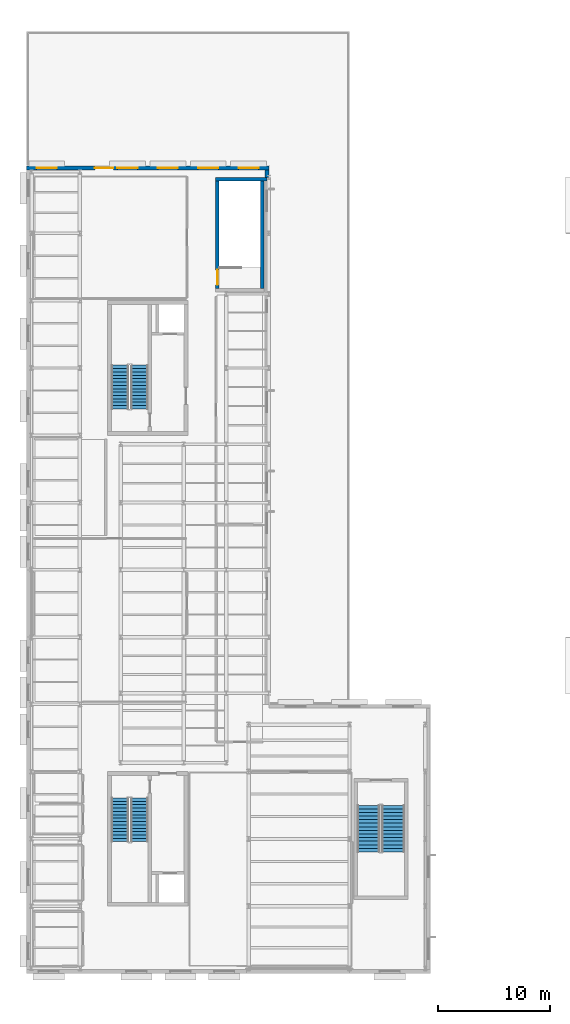
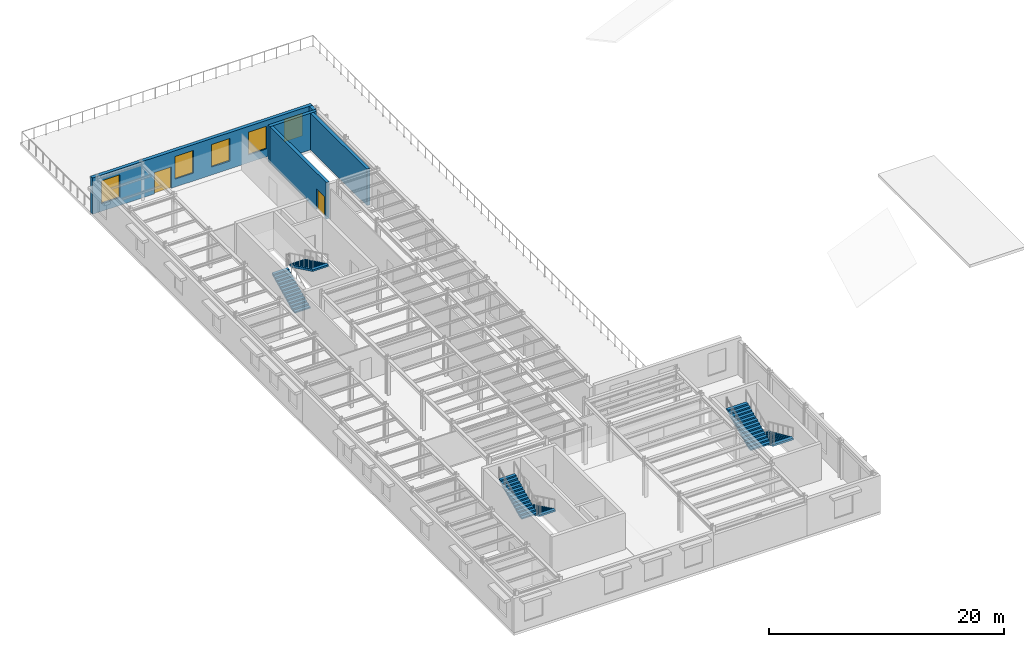
# One storey, part 7 of 13: 6 stair flights, 5 walls, 5 windows, 2 doors, 7 openings, 3 elements without a shape of their own.
"""IFC4 building model written with IfcOpenShell, lengths in metres."""

from ifc_helpers import new_model, si_unit, direction, frame, frame_2d, origin, place, context, subcontext, project, spatial, polyline, rectangle, outline, extrude, material, layer, layer_set, type_object, element, fill, aggregate, save


model = new_model("IFC4")

# Units and contexts
model_context = context("Model", 3, precision=1e-05, world=origin(), true_north=direction((0.0, 1.0)))
body_context = subcontext(model_context, "Body", "Model", "MODEL_VIEW")
ifc_project = project(units=[si_unit("LENGTHUNIT", "METRE"), si_unit("AREAUNIT", "SQUARE_METRE"), si_unit("VOLUMEUNIT", "CUBIC_METRE"), si_unit("PLANEANGLEUNIT", "RADIAN"), si_unit("MASSUNIT", "GRAM", prefix="KILO")], contexts=[model_context])

# Site, building, storey
site_placement = place(None, origin())
site = spatial("IfcSite", under=ifc_project, at=site_placement, CompositionType="ELEMENT")
building_placement = place(site_placement, origin())
building = spatial("IfcBuilding", under=site, at=building_placement, Name="Kolvaren Corner Interchange", CompositionType="ELEMENT")
storey_placement = place(building_placement, frame((0.0, 0.0, 14.699951171875)))
storey = spatial("IfcBuildingStorey", under=building, at=storey_placement, Name="L04", CompositionType="ELEMENT", Elevation=14.699951171875)

# Wall
ifc_material_1 = material(Name="Concrete C35/45", Category="concrete")
ifc_layer_1 = layer(ifc_material_1, 0.31005859375)
ifc_layer_set_1 = layer_set([ifc_layer_1], Name="Concrete C35/45")
wall_type_1 = type_object("IfcWallType", Name="WL-STAIR-300", PredefinedType="SHEAR", material=ifc_layer_set_1)
wall_1_placement = place(storey_placement, frame((16.85009765625, 70.844970703125, 0.0), z_axis=(0.0, 0.0, 1.0), x_axis=(1.0, 0.0, 0.0)))
element("IfcWall", 1, at=wall_1_placement, inside=storey, type_object=wall_type_1, Name="Operations North Wing Protected Exit Stair L04 North Enclosure Wall", PredefinedType="SHEAR", context=body_context, shape_type="SweptSolid", body=[
    extrude(rectangle(XDim=4.599853515625, YDim=0.31005859375, at=frame_2d((2.2998046875, 0.0))), origin(), (0.0, 0.0, 1.0), 3.800048828125),
])

# Wall, opening, door
wall_2_placement = place(storey_placement, frame((17.0048828125, 61.110107421875, 0.0), z_axis=(0.0, 0.0, 1.0), x_axis=(0.0, 1.0, 0.0)))
wall_2 = element("IfcWall", 2, at=wall_2_placement, inside=storey, type_object=wall_type_1, Name="Operations North Wing Protected Exit Stair L04 West Enclosure Wall", PredefinedType="SHEAR", context=body_context, shape_type="SweptSolid", body=[
    extrude(rectangle(XDim=9.579833984375, YDim=0.31005859375, at=frame_2d((4.7900390625, 0.0))), origin(), (0.0, 0.0, 1.0), 3.800048828125),
])
opening_1_placement = place(wall_2_placement, frame((0.300048828125, 0.0, 0.0)))
opening_1 = element("IfcOpeningElement", 3, at=opening_1_placement, cuts=wall_2, Name="Opening D-F05", PredefinedType="OPENING", context=body_context, shape_type="SweptSolid", body=[
    extrude(rectangle(XDim=1.35009765625, YDim=2.14990234375, at=frame_2d((0.675048828125, 1.074951171875))), frame((0.0, 0.1650390625, 0.0), z_axis=(0.0, -1.0, 0.0), x_axis=(1.0, 0.0, 0.0)), (0.0, 0.0, 1.0), 0.330078125),
])
ifc_material_2 = material(Name="Powder-coated Fire-rated Steel Sheet", Category="steel")
door_type_1 = type_object("IfcDoorType", Name="DT-FD-1350x2150", OperationType="NOTDEFINED", PredefinedType="DOOR", material=ifc_material_2)
door_1_placement = place(opening_1_placement, origin())
door_1 = element("IfcDoor", 4, at=door_1_placement, inside=storey, type_object=door_type_1, Name="Operations North Wing Protected Exit Stair L04 Protected Exit Door", OperationType="DOUBLE_DOOR_SINGLE_SWING", OverallHeight=2.14990234375, OverallWidth=1.35009765625, PredefinedType="DOOR", context=body_context, shape_type="SweptSolid", body=[
    extrude(rectangle(XDim=1.35009765625, YDim=2.14990234375, at=frame_2d((0.675048828125, 1.074951171875))), frame((0.0, 0.02490234375, 0.0), z_axis=(0.0, -1.0, 0.0), x_axis=(1.0, 0.0, 0.0)), (0.0, 0.0, 1.0), 0.050048828125),
])
fill(opening_1, door_1)

# Walls
wall_3_placement = place(storey_placement, frame((20.9951171875, 61.110107421875, 0.0), z_axis=(0.0, 0.0, 1.0), x_axis=(0.0, 1.0, 0.0)))
element("IfcWall", 5, at=wall_3_placement, inside=storey, type_object=wall_type_1, Name="Operations North Wing Protected Exit Stair L04 East Enclosure Wall", PredefinedType="SHEAR", context=body_context, shape_type="SweptSolid", body=[
    extrude(rectangle(XDim=9.579833984375, YDim=0.31005859375, at=frame_2d((4.7900390625, 0.0))), origin(), (0.0, 0.0, 1.0), 3.800048828125),
])
ifc_material_3 = material(Name="Cream Architectural Terracotta Rainscreen Assembly", Category="masonry")
ifc_layer_2 = layer(ifc_material_3, 0.330078125)
ifc_layer_set_2 = layer_set([ifc_layer_2], Name="Cream Architectural Terracotta Rainscreen Assembly")
wall_type_2 = type_object("IfcWallType", Name="WT-EXT-TC320", PredefinedType="SOLIDWALL", material=ifc_layer_set_2)
wall_4_placement = place(storey_placement, frame((21.429931640625, 71.0, 0.0), z_axis=(0.0, 0.0, 1.0), x_axis=(0.0, 1.0, 0.0)))
element("IfcWall", 6, at=wall_4_placement, inside=storey, type_object=wall_type_2, Name="Level 04 Courtyard Terrace North Pier Wall 0044", PredefinedType="SOLIDWALL", context=body_context, shape_type="SweptSolid", body=[
    extrude(rectangle(XDim=0.659912109375, YDim=0.330078125, at=frame_2d((0.330078125, 0.0))), origin(), (0.0, 0.0, 1.0), 3.780029296875),
])

# Wall, openings, door, windows
wall_5_placement = place(storey_placement, frame((21.60009765625, 71.830078125, 0.0), z_axis=(0.0, 0.0, 1.0), x_axis=(-1.0, 0.0, 0.0)))
wall_5 = element("IfcWall", 7, at=wall_5_placement, inside=storey, type_object=wall_type_2, Name="Operations North End Facade Wall 0045", PredefinedType="SOLIDWALL", context=body_context, shape_type="SweptSolid", body=[
    extrude(rectangle(XDim=21.60009765625, YDim=0.330078125, at=frame_2d((10.800048828125, 0.0))), origin(), (0.0, 0.0, 1.0), 3.780029296875),
])
opening_2_placement = place(wall_5_placement, frame((13.863037109375, 0.0, 0.0)))
opening_2 = element("IfcOpeningElement", 8, at=opening_2_placement, cuts=wall_5, Name="Opening D-E10", PredefinedType="OPENING", context=body_context, shape_type="SweptSolid", body=[
    extrude(rectangle(XDim=1.64990234375, YDim=2.219970703125, at=frame_2d((0.824951171875, 1.10986328125))), frame((0.0, 0.175048828125, 0.0), z_axis=(0.0, -1.0, 0.0), x_axis=(1.0, 0.0, 0.0)), (0.0, 0.0, 1.0), 0.35009765625),
])
opening_3_placement = place(wall_5_placement, frame((0.89990234375, 0.0, 0.820068359375)))
opening_3 = element("IfcOpeningElement", 9, at=opening_3_placement, cuts=wall_5, Name="Opening W-03", PredefinedType="OPENING", context=body_context, shape_type="SweptSolid", body=[
    extrude(rectangle(XDim=1.800048828125, YDim=2.35009765625, at=frame_2d((0.89990234375, 1.175048828125))), frame((0.0, 0.175048828125, 0.0), z_axis=(0.0, -1.0, 0.0), x_axis=(1.0, 0.0, 0.0)), (0.0, 0.0, 1.0), 0.35009765625),
])
opening_4_placement = place(wall_5_placement, frame((4.5, 0.0, 0.820068359375)))
opening_4 = element("IfcOpeningElement", 10, at=opening_4_placement, cuts=wall_5, Name="Opening W-03", PredefinedType="OPENING", context=body_context, shape_type="SweptSolid", body=[
    extrude(rectangle(XDim=1.800048828125, YDim=2.35009765625, at=frame_2d((0.89990234375, 1.175048828125))), frame((0.0, 0.175048828125, 0.0), z_axis=(0.0, -1.0, 0.0), x_axis=(1.0, 0.0, 0.0)), (0.0, 0.0, 1.0), 0.35009765625),
])
opening_5_placement = place(wall_5_placement, frame((8.10009765625, 0.0, 0.820068359375)))
opening_5 = element("IfcOpeningElement", 11, at=opening_5_placement, cuts=wall_5, Name="Opening W-03", PredefinedType="OPENING", context=body_context, shape_type="SweptSolid", body=[
    extrude(rectangle(XDim=1.800048828125, YDim=2.35009765625, at=frame_2d((0.89990234375, 1.175048828125))), frame((0.0, 0.175048828125, 0.0), z_axis=(0.0, -1.0, 0.0), x_axis=(1.0, 0.0, 0.0)), (0.0, 0.0, 1.0), 0.35009765625),
])
opening_6_placement = place(wall_5_placement, frame((11.699951171875, 0.0, 0.820068359375)))
opening_6 = element("IfcOpeningElement", 12, at=opening_6_placement, cuts=wall_5, Name="Opening W-03", PredefinedType="OPENING", context=body_context, shape_type="SweptSolid", body=[
    extrude(rectangle(XDim=1.800048828125, YDim=2.35009765625, at=frame_2d((0.89990234375, 1.175048828125))), frame((0.0, 0.175048828125, 0.0), z_axis=(0.0, -1.0, 0.0), x_axis=(1.0, 0.0, 0.0)), (0.0, 0.0, 1.0), 0.35009765625),
])
opening_7_placement = place(wall_5_placement, frame((18.89990234375, 0.0, 0.820068359375)))
opening_7 = element("IfcOpeningElement", 13, at=opening_7_placement, cuts=wall_5, Name="Opening W-03", PredefinedType="OPENING", context=body_context, shape_type="SweptSolid", body=[
    extrude(rectangle(XDim=1.800048828125, YDim=2.35009765625, at=frame_2d((0.89990234375, 1.175048828125))), frame((0.0, 0.175048828125, 0.0), z_axis=(0.0, -1.0, 0.0), x_axis=(1.0, 0.0, 0.0)), (0.0, 0.0, 1.0), 0.35009765625),
])
ifc_material_4 = material(Name="Thermally Broken Aluminium Glazed Terrace Door", Category="aluminium")
door_type_2 = type_object("IfcDoorType", Name="DT-TERR-DBL1650", OperationType="NOTDEFINED", PredefinedType="DOOR", material=ifc_material_4)
door_2_placement = place(opening_2_placement, origin())
door_2 = element("IfcDoor", 14, at=door_2_placement, inside=storey, type_object=door_type_2, Name="L04 North Roof Terrace Lounge Door 007", OperationType="DOUBLE_DOOR_SINGLE_SWING", OverallHeight=2.219970703125, OverallWidth=1.64990234375, PredefinedType="DOOR", context=body_context, shape_type="SweptSolid", body=[
    extrude(rectangle(XDim=1.64990234375, YDim=2.219970703125, at=frame_2d((0.824951171875, 1.10986328125))), frame((0.0, 0.02490234375, 0.0), z_axis=(0.0, -1.0, 0.0), x_axis=(1.0, 0.0, 0.0)), (0.0, 0.0, 1.0), 0.050048828125),
])
fill(opening_2, door_2)
ifc_material_5 = material(Name="Thermally Broken Aluminium and Solar-Control Double Glazing", Category="aluminium")
window_type = type_object("IfcWindowType", Name="WT-CHI-1800x2400", PartitioningType="DOUBLE_PANEL_VERTICAL", PredefinedType="WINDOW", material=ifc_material_5)
window_1_placement = place(opening_3_placement, origin())
window_1 = element("IfcWindow", 15, at=window_1_placement, inside=storey, type_object=window_type, Name="L04 Operations North End Facade Window 0100", OverallHeight=2.35009765625, OverallWidth=1.800048828125, PartitioningType="SINGLE_PANEL", PredefinedType="WINDOW", context=body_context, shape_type="SweptSolid", body=[
    extrude(rectangle(XDim=1.800048828125, YDim=2.35009765625, at=frame_2d((0.89990234375, 1.175048828125))), frame((0.0, 0.030029296875, 0.0), z_axis=(0.0, -1.0, 0.0), x_axis=(1.0, 0.0, 0.0)), (0.0, 0.0, 1.0), 0.06005859375),
])
fill(opening_3, window_1)
window_2_placement = place(opening_4_placement, origin())
window_2 = element("IfcWindow", 16, at=window_2_placement, inside=storey, type_object=window_type, Name="L04 Operations North End Facade Window 0101", OverallHeight=2.35009765625, OverallWidth=1.800048828125, PartitioningType="SINGLE_PANEL", PredefinedType="WINDOW", context=body_context, shape_type="SweptSolid", body=[
    extrude(rectangle(XDim=1.800048828125, YDim=2.35009765625, at=frame_2d((0.89990234375, 1.175048828125))), frame((0.0, 0.030029296875, 0.0), z_axis=(0.0, -1.0, 0.0), x_axis=(1.0, 0.0, 0.0)), (0.0, 0.0, 1.0), 0.06005859375),
])
fill(opening_4, window_2)
window_3_placement = place(opening_5_placement, origin())
window_3 = element("IfcWindow", 17, at=window_3_placement, inside=storey, type_object=window_type, Name="L04 Operations North End Facade Window 0102", OverallHeight=2.35009765625, OverallWidth=1.800048828125, PartitioningType="SINGLE_PANEL", PredefinedType="WINDOW", context=body_context, shape_type="SweptSolid", body=[
    extrude(rectangle(XDim=1.800048828125, YDim=2.35009765625, at=frame_2d((0.89990234375, 1.175048828125))), frame((0.0, 0.030029296875, 0.0), z_axis=(0.0, -1.0, 0.0), x_axis=(1.0, 0.0, 0.0)), (0.0, 0.0, 1.0), 0.06005859375),
])
fill(opening_5, window_3)
window_4_placement = place(opening_6_placement, origin())
window_4 = element("IfcWindow", 18, at=window_4_placement, inside=storey, type_object=window_type, Name="L04 Operations North End Facade Window 0103", OverallHeight=2.35009765625, OverallWidth=1.800048828125, PartitioningType="SINGLE_PANEL", PredefinedType="WINDOW", context=body_context, shape_type="SweptSolid", body=[
    extrude(rectangle(XDim=1.800048828125, YDim=2.35009765625, at=frame_2d((0.89990234375, 1.175048828125))), frame((0.0, 0.030029296875, 0.0), z_axis=(0.0, -1.0, 0.0), x_axis=(1.0, 0.0, 0.0)), (0.0, 0.0, 1.0), 0.06005859375),
])
fill(opening_6, window_4)
window_5_placement = place(opening_7_placement, origin())
window_5 = element("IfcWindow", 19, at=window_5_placement, inside=storey, type_object=window_type, Name="L04 Operations North End Facade Window 0104", OverallHeight=2.35009765625, OverallWidth=1.800048828125, PartitioningType="SINGLE_PANEL", PredefinedType="WINDOW", context=body_context, shape_type="SweptSolid", body=[
    extrude(rectangle(XDim=1.800048828125, YDim=2.35009765625, at=frame_2d((0.89990234375, 1.175048828125))), frame((0.0, 0.030029296875, 0.0), z_axis=(0.0, -1.0, 0.0), x_axis=(1.0, 0.0, 0.0)), (0.0, 0.0, 1.0), 0.06005859375),
])
fill(opening_7, window_5)

# Stair, stair flights
ifc_material_6 = material(Name="Concrete C35/45", Category="concrete")
stair_type_1 = type_object("IfcStairType", Name="ST-FF-1550", PredefinedType="HALF_TURN_STAIR", material=ifc_material_6)
stair_1_placement = place(storey_placement, origin())
stair_1 = element("IfcStair", 20, at=stair_1_placement, inside=storey, type_object=stair_type_1, Name="Core C1 Southwest Firefighting Stair L04 to L05 Stair", PredefinedType="HALF_TURN_STAIR")
ifc_material_7 = material(Name="Concrete C35/45", Category="concrete")
stair_flight_type_1 = type_object("IfcStairFlightType", Name="SFT-FF-1550", PredefinedType="STRAIGHT", material=ifc_material_7)
stair_flight_1_placement = place(storey_placement, frame((10.074951171875, 15.64990234375, 0.0), z_axis=(0.0, 0.0, 1.0), x_axis=(0.0, -1.0, 0.0)))
stair_flight_1 = element("IfcStairFlight", 21, at=stair_flight_1_placement, type_object=stair_flight_type_1, Name="Core C1 Southwest Firefighting Stair L04 Lower Flight", NumberOfRisers=14, NumberOfTreads=13, PredefinedType="STRAIGHT", RiserHeight=0.144642857, TreadLength=0.3, context=body_context, shape_type="SweptSolid", body=[
    extrude(outline(polyline([(0.0, 0.0), (0.0, 0.14453125), (0.300048828125, 0.14453125), (0.300048828125, 0.289306640625), (0.60009765625, 0.289306640625), (0.60009765625, 0.433837890625), (0.89990234375, 0.433837890625), (0.89990234375, 0.57861328125), (1.199951171875, 0.57861328125), (1.199951171875, 0.72314453125), (1.5, 0.72314453125), (1.5, 0.867919921875), (1.800048828125, 0.867919921875), (1.800048828125, 1.012451171875), (2.10009765625, 1.012451171875), (2.10009765625, 1.1572265625), (2.39990234375, 1.1572265625), (2.39990234375, 1.3017578125), (2.699951171875, 1.3017578125), (2.699951171875, 1.446533203125), (3.0, 1.446533203125), (3.0, 1.591064453125), (3.300048828125, 1.591064453125), (3.300048828125, 1.735595703125), (3.60009765625, 1.735595703125), (3.60009765625, 1.88037109375), (3.89990234375, 1.88037109375), (3.89990234375, 2.02490234375), (3.89990234375, 1.702880859375), (0.3681640625, 0.0), (0.0, 0.0)])), frame((0.0, 0.77490234375, 0.0), z_axis=(0.0, -1.0, 0.0), x_axis=(1.0, 0.0, 0.0)), (0.0, 0.0, 1.0), 1.550048828125),
])
stair_flight_2_placement = place(storey_placement, frame((8.324951171875, 11.75, 2.025146484375), z_axis=(0.0, 0.0, 1.0), x_axis=(0.0, 1.0, 0.0)))
stair_flight_2 = element("IfcStairFlight", 22, at=stair_flight_2_placement, type_object=stair_flight_type_1, Name="Core C1 Southwest Firefighting Stair L04 Upper Flight", NumberOfRisers=14, NumberOfTreads=13, PredefinedType="STRAIGHT", RiserHeight=0.144642857, TreadLength=0.3, context=body_context, shape_type="SweptSolid", body=[
    extrude(outline(polyline([(0.0, 0.0), (0.0, 0.14453125), (0.300048828125, 0.14453125), (0.300048828125, 0.289306640625), (0.60009765625, 0.289306640625), (0.60009765625, 0.433837890625), (0.89990234375, 0.433837890625), (0.89990234375, 0.57861328125), (1.199951171875, 0.57861328125), (1.199951171875, 0.72314453125), (1.5, 0.72314453125), (1.5, 0.867919921875), (1.800048828125, 0.867919921875), (1.800048828125, 1.012451171875), (2.10009765625, 1.012451171875), (2.10009765625, 1.1572265625), (2.39990234375, 1.1572265625), (2.39990234375, 1.3017578125), (2.699951171875, 1.3017578125), (2.699951171875, 1.446533203125), (3.0, 1.446533203125), (3.0, 1.591064453125), (3.300048828125, 1.591064453125), (3.300048828125, 1.735595703125), (3.60009765625, 1.735595703125), (3.60009765625, 1.88037109375), (3.89990234375, 1.88037109375), (3.89990234375, 2.02490234375), (3.89990234375, 1.702880859375), (0.3681640625, 0.0), (0.0, 0.0)])), frame((0.0, 0.77490234375, 0.0), z_axis=(0.0, -1.0, 0.0), x_axis=(1.0, 0.0, 0.0)), (0.0, 0.0, 1.0), 1.550048828125),
])
aggregate(stair_1, [stair_flight_1, stair_flight_2])

stair_2_placement = place(storey_placement, origin())
stair_2 = element("IfcStair", 23, at=stair_2_placement, inside=storey, type_object=stair_type_1, Name="Core C2 Northwest Firefighting Stair L04 to L05 Stair", PredefinedType="HALF_TURN_STAIR")
stair_flight_3_placement = place(storey_placement, frame((8.324951171875, 50.35009765625, 0.0), z_axis=(0.0, 0.0, 1.0), x_axis=(0.0, 1.0, 0.0)))
stair_flight_3 = element("IfcStairFlight", 24, at=stair_flight_3_placement, type_object=stair_flight_type_1, Name="Core C2 Northwest Firefighting Stair L04 Lower Flight", NumberOfRisers=14, NumberOfTreads=13, PredefinedType="STRAIGHT", RiserHeight=0.144642857, TreadLength=0.3, context=body_context, shape_type="SweptSolid", body=[
    extrude(outline(polyline([(0.0, 0.0), (0.0, 0.14453125), (0.300048828125, 0.14453125), (0.300048828125, 0.289306640625), (0.60009765625, 0.289306640625), (0.60009765625, 0.433837890625), (0.89990234375, 0.433837890625), (0.89990234375, 0.57861328125), (1.199951171875, 0.57861328125), (1.199951171875, 0.72314453125), (1.5, 0.72314453125), (1.5, 0.867919921875), (1.800048828125, 0.867919921875), (1.800048828125, 1.012451171875), (2.10009765625, 1.012451171875), (2.10009765625, 1.1572265625), (2.39990234375, 1.1572265625), (2.39990234375, 1.3017578125), (2.699951171875, 1.3017578125), (2.699951171875, 1.446533203125), (3.0, 1.446533203125), (3.0, 1.591064453125), (3.300048828125, 1.591064453125), (3.300048828125, 1.735595703125), (3.60009765625, 1.735595703125), (3.60009765625, 1.88037109375), (3.89990234375, 1.88037109375), (3.89990234375, 2.02490234375), (3.89990234375, 1.702880859375), (0.3681640625, 0.0), (0.0, 0.0)])), frame((0.0, 0.77490234375, 0.0), z_axis=(0.0, -1.0, 0.0), x_axis=(1.0, 0.0, 0.0)), (0.0, 0.0, 1.0), 1.550048828125),
])
stair_flight_4_placement = place(storey_placement, frame((10.074951171875, 54.25, 2.025146484375), z_axis=(0.0, 0.0, 1.0), x_axis=(0.0, -1.0, 0.0)))
stair_flight_4 = element("IfcStairFlight", 25, at=stair_flight_4_placement, type_object=stair_flight_type_1, Name="Core C2 Northwest Firefighting Stair L04 Upper Flight", NumberOfRisers=14, NumberOfTreads=13, PredefinedType="STRAIGHT", RiserHeight=0.144642857, TreadLength=0.3, context=body_context, shape_type="SweptSolid", body=[
    extrude(outline(polyline([(0.0, 0.0), (0.0, 0.14453125), (0.300048828125, 0.14453125), (0.300048828125, 0.289306640625), (0.60009765625, 0.289306640625), (0.60009765625, 0.433837890625), (0.89990234375, 0.433837890625), (0.89990234375, 0.57861328125), (1.199951171875, 0.57861328125), (1.199951171875, 0.72314453125), (1.5, 0.72314453125), (1.5, 0.867919921875), (1.800048828125, 0.867919921875), (1.800048828125, 1.012451171875), (2.10009765625, 1.012451171875), (2.10009765625, 1.1572265625), (2.39990234375, 1.1572265625), (2.39990234375, 1.3017578125), (2.699951171875, 1.3017578125), (2.699951171875, 1.446533203125), (3.0, 1.446533203125), (3.0, 1.591064453125), (3.300048828125, 1.591064453125), (3.300048828125, 1.735595703125), (3.60009765625, 1.735595703125), (3.60009765625, 1.88037109375), (3.89990234375, 1.88037109375), (3.89990234375, 2.02490234375), (3.89990234375, 1.702880859375), (0.3681640625, 0.0), (0.0, 0.0)])), frame((0.0, 0.77490234375, 0.0), z_axis=(0.0, -1.0, 0.0), x_axis=(1.0, 0.0, 0.0)), (0.0, 0.0, 1.0), 1.550048828125),
])
aggregate(stair_2, [stair_flight_3, stair_flight_4])

ifc_material_8 = material(Name="Concrete C35/45", Category="concrete")
stair_type_2 = type_object("IfcStairType", Name="ST-GL-2000", PredefinedType="HALF_TURN_STAIR", material=ifc_material_8)
stair_3_placement = place(storey_placement, origin())
stair_3 = element("IfcStair", 26, at=stair_3_placement, inside=storey, type_object=stair_type_2, Name="Operations South Bar Protected Exit Stair L04 to L05 Stair", PredefinedType="HALF_TURN_STAIR")
ifc_material_9 = material(Name="Concrete C35/45", Category="concrete")
stair_flight_type_2 = type_object("IfcStairFlightType", Name="SFT-GL-2000", PredefinedType="STRAIGHT", material=ifc_material_9)
stair_flight_5_placement = place(storey_placement, frame((32.699951171875, 15.0, 0.0), z_axis=(0.0, 0.0, 1.0), x_axis=(0.0, -1.0, 0.0)))
stair_flight_5 = element("IfcStairFlight", 27, at=stair_flight_5_placement, type_object=stair_flight_type_2, Name="Operations South Bar Protected Exit Stair L04 Lower Flight", NumberOfRisers=14, NumberOfTreads=13, PredefinedType="STRAIGHT", RiserHeight=0.144642857, TreadLength=0.32, context=body_context, shape_type="SweptSolid", body=[
    extrude(outline(polyline([(0.0, 0.0), (0.0, 0.14453125), (0.320068359375, 0.14453125), (0.320068359375, 0.289306640625), (0.639892578125, 0.289306640625), (0.639892578125, 0.433837890625), (0.9599609375, 0.433837890625), (0.9599609375, 0.57861328125), (1.280029296875, 0.57861328125), (1.280029296875, 0.72314453125), (1.60009765625, 0.72314453125), (1.60009765625, 0.867919921875), (1.919921875, 0.867919921875), (1.919921875, 1.012451171875), (2.239990234375, 1.012451171875), (2.239990234375, 1.1572265625), (2.56005859375, 1.1572265625), (2.56005859375, 1.3017578125), (2.8798828125, 1.3017578125), (2.8798828125, 1.446533203125), (3.199951171875, 1.446533203125), (3.199951171875, 1.591064453125), (3.52001953125, 1.591064453125), (3.52001953125, 1.735595703125), (3.840087890625, 1.735595703125), (3.840087890625, 1.88037109375), (4.159912109375, 1.88037109375), (4.159912109375, 2.02490234375), (4.159912109375, 1.69384765625), (0.41259765625, 0.0), (0.0, 0.0)])), frame((0.0, 1.0, 0.0), z_axis=(0.0, -1.0, 0.0), x_axis=(1.0, 0.0, 0.0)), (0.0, 0.0, 1.0), 2.0),
])
stair_flight_6_placement = place(storey_placement, frame((30.5, 10.840087890625, 2.025146484375), z_axis=(0.0, 0.0, 1.0), x_axis=(0.0, 1.0, 0.0)))
stair_flight_6 = element("IfcStairFlight", 28, at=stair_flight_6_placement, type_object=stair_flight_type_2, Name="Operations South Bar Protected Exit Stair L04 Upper Flight", NumberOfRisers=14, NumberOfTreads=13, PredefinedType="STRAIGHT", RiserHeight=0.144642857, TreadLength=0.32, context=body_context, shape_type="SweptSolid", body=[
    extrude(outline(polyline([(0.0, 0.0), (0.0, 0.14453125), (0.320068359375, 0.14453125), (0.320068359375, 0.289306640625), (0.639892578125, 0.289306640625), (0.639892578125, 0.433837890625), (0.9599609375, 0.433837890625), (0.9599609375, 0.57861328125), (1.280029296875, 0.57861328125), (1.280029296875, 0.72314453125), (1.60009765625, 0.72314453125), (1.60009765625, 0.867919921875), (1.919921875, 0.867919921875), (1.919921875, 1.012451171875), (2.239990234375, 1.012451171875), (2.239990234375, 1.1572265625), (2.56005859375, 1.1572265625), (2.56005859375, 1.3017578125), (2.8798828125, 1.3017578125), (2.8798828125, 1.446533203125), (3.199951171875, 1.446533203125), (3.199951171875, 1.591064453125), (3.52001953125, 1.591064453125), (3.52001953125, 1.735595703125), (3.840087890625, 1.735595703125), (3.840087890625, 1.88037109375), (4.159912109375, 1.88037109375), (4.159912109375, 2.02490234375), (4.159912109375, 1.69384765625), (0.41259765625, 0.0), (0.0, 0.0)])), frame((0.0, 1.0, 0.0), z_axis=(0.0, -1.0, 0.0), x_axis=(1.0, 0.0, 0.0)), (0.0, 0.0, 1.0), 2.0),
])
aggregate(stair_3, [stair_flight_5, stair_flight_6])

save(model, "model.ifc")
